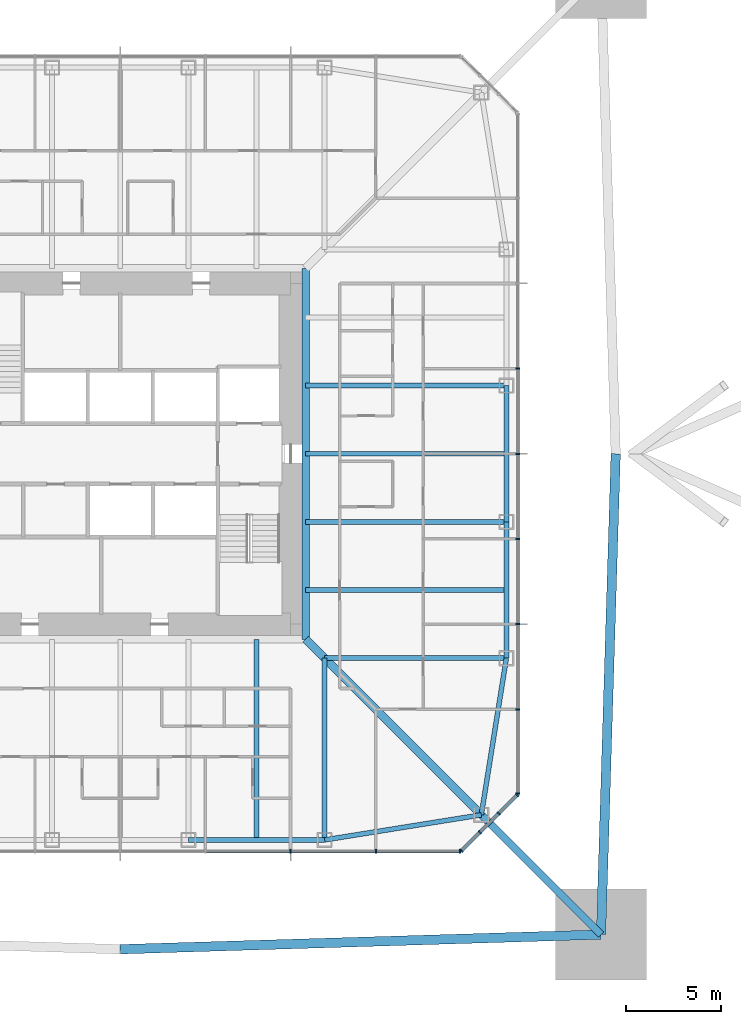
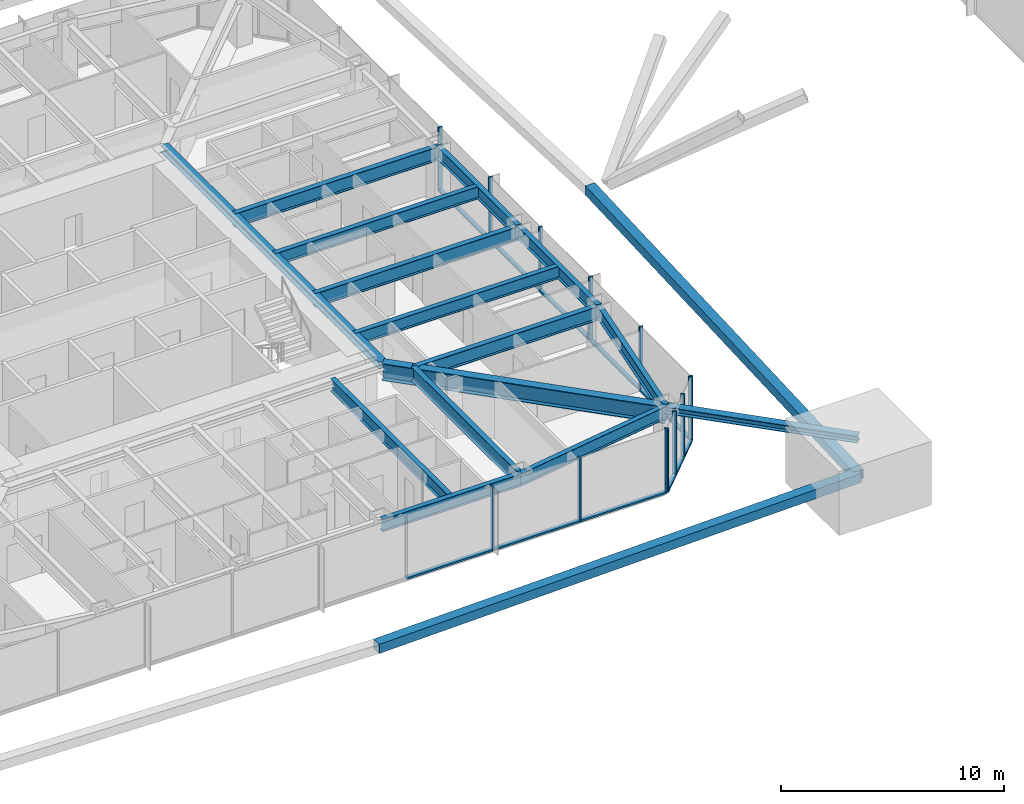
# One storey, part 5 of 27: 27 members, 14 beams, 3 elements without a shape of their own.
"""IFC4 building model written with IfcOpenShell, lengths in metres."""

from ifc_helpers import new_model, si_unit, direction, frame, origin, origin_2d, place, context, subcontext, project, spatial, rectangle, hollow_rectangle, i_section, extrude, material, material_profile, profile_set, type_object, element, aggregate, save


model = new_model("IFC4")

# Units and contexts
model_context = context("Model", 3, precision=1e-05, world=origin(), true_north=direction((0.0, 1.0)))
body_context = subcontext(model_context, "Body", "Model", "MODEL_VIEW")
ifc_project = project(units=[si_unit("LENGTHUNIT", "METRE"), si_unit("AREAUNIT", "SQUARE_METRE"), si_unit("VOLUMEUNIT", "CUBIC_METRE"), si_unit("PLANEANGLEUNIT", "RADIAN"), si_unit("MASSUNIT", "GRAM", prefix="KILO")], contexts=[model_context])

# Site, building, storey
site_placement = place(None, origin())
site = spatial("IfcSite", under=ifc_project, at=site_placement, CompositionType="ELEMENT")
building_placement = place(site_placement, origin())
building = spatial("IfcBuilding", under=site, at=building_placement, Name="Iwan Alto Co-Living Towers", CompositionType="ELEMENT")
storey_placement = place(building_placement, frame((0.0, 0.0, 91.0)))
storey = spatial("IfcBuildingStorey", under=building, at=storey_placement, Name="L24", CompositionType="ELEMENT", Elevation=91.0)

# Curtain wall, members
ifc_material_1 = material(Name="Bronze aluminium unitised frame", Category="aluminium")
curtain_wall_type_1 = type_object("IfcCurtainWallType", Name="CURTAIN WALL CW-A", PredefinedType="NOTDEFINED", material=ifc_material_1)
curtain_wall_1_placement = place(storey_placement, origin())
curtain_wall_1 = element("IfcCurtainWall", 1, at=curtain_wall_1_placement, inside=storey, type_object=curtain_wall_type_1, Name="T1 curtain wall S L24", PredefinedType="NOTDEFINED")
ifc_material_2 = material(Name="Aluminium 6063-T6 bronze anodised", Category="aluminium")
ifc_material_profile_1 = material_profile(ifc_material_2, rectangle(XDim=0.199951171875, YDim=0.080078125, at=origin_2d()), Name="AL 80X200")
ifc_profile_set_1 = profile_set([ifc_material_profile_1], Name="Aluminium 6063-T6 bronze anodised")
member_type_1 = type_object("IfcMemberType", Name="CW-A MULLION 80X200", PredefinedType="MULLION", material=ifc_profile_set_1)
member_1_placement = place(storey_placement, frame((9.0, -21.0, 0.0), z_axis=(0.0, 0.0, 1.0), x_axis=(0.0, 1.0, 0.0)))
member_1 = element("IfcMember", 2, at=member_1_placement, type_object=member_type_1, Name="CW-A mullion 7", PredefinedType="MULLION", context=body_context, shape_type="SweptSolid", body=[
    extrude(rectangle(XDim=0.199951171875, YDim=0.080078125, at=origin_2d()), origin(), (0.0, 0.0, 1.0), 3.5),
])
member_2_placement = place(storey_placement, frame((13.5, -21.0, 0.0), z_axis=(0.0, 0.0, 1.0), x_axis=(0.0, 1.0, 0.0)))
member_2 = element("IfcMember", 3, at=member_2_placement, type_object=member_type_1, Name="CW-A mullion 8", PredefinedType="MULLION", context=body_context, shape_type="SweptSolid", body=[
    extrude(rectangle(XDim=0.199951171875, YDim=0.080078125, at=origin_2d()), origin(), (0.0, 0.0, 1.0), 3.5),
])
member_3_placement = place(storey_placement, frame((17.9599609375, -21.0, 0.0), z_axis=(0.0, 0.0, 1.0), x_axis=(0.0, 1.0, 0.0)))
member_3 = element("IfcMember", 4, at=member_3_placement, type_object=member_type_1, Name="CW-A mullion 9", PredefinedType="MULLION", context=body_context, shape_type="SweptSolid", body=[
    extrude(rectangle(XDim=0.199951171875, YDim=0.080078125, at=origin_2d()), origin(), (0.0, 0.0, 1.0), 3.5),
])

curtain_wall_2_placement = place(storey_placement, origin())
curtain_wall_2 = element("IfcCurtainWall", 5, at=curtain_wall_2_placement, inside=storey, type_object=curtain_wall_type_1, Name="T1 curtain wall E L24", PredefinedType="NOTDEFINED")
member_4_placement = place(storey_placement, frame((21.0, -17.9599609375, 0.0), z_axis=(0.0, 0.0, 1.0), x_axis=(-1.0, 0.0, 0.0)))
member_4 = element("IfcMember", 6, at=member_4_placement, type_object=member_type_1, Name="CW-A mullion 1", PredefinedType="MULLION", context=body_context, shape_type="SweptSolid", body=[
    extrude(rectangle(XDim=0.199951171875, YDim=0.080078125, at=origin_2d()), origin(), (0.0, 0.0, 1.0), 3.5),
])
member_5_placement = place(storey_placement, frame((21.0, -13.5, 0.0), z_axis=(0.0, 0.0, 1.0), x_axis=(-1.0, 0.0, 0.0)))
member_5 = element("IfcMember", 7, at=member_5_placement, type_object=member_type_1, Name="CW-A mullion 2", PredefinedType="MULLION", context=body_context, shape_type="SweptSolid", body=[
    extrude(rectangle(XDim=0.199951171875, YDim=0.080078125, at=origin_2d()), origin(), (0.0, 0.0, 1.0), 3.5),
])
member_6_placement = place(storey_placement, frame((21.0, -9.0, 0.0), z_axis=(0.0, 0.0, 1.0), x_axis=(-1.0, 0.0, 0.0)))
member_6 = element("IfcMember", 8, at=member_6_placement, type_object=member_type_1, Name="CW-A mullion 3", PredefinedType="MULLION", context=body_context, shape_type="SweptSolid", body=[
    extrude(rectangle(XDim=0.199951171875, YDim=0.080078125, at=origin_2d()), origin(), (0.0, 0.0, 1.0), 3.5),
])
member_7_placement = place(storey_placement, frame((21.0, -4.5, 0.0), z_axis=(0.0, 0.0, 1.0), x_axis=(-1.0, 0.0, 0.0)))
member_7 = element("IfcMember", 9, at=member_7_placement, type_object=member_type_1, Name="CW-A mullion 4", PredefinedType="MULLION", context=body_context, shape_type="SweptSolid", body=[
    extrude(rectangle(XDim=0.199951171875, YDim=0.080078125, at=origin_2d()), origin(), (0.0, 0.0, 1.0), 3.5),
])
member_8_placement = place(storey_placement, frame((21.0, 0.0, 0.0), z_axis=(0.0, 0.0, 1.0), x_axis=(-1.0, 0.0, 0.0)))
member_8 = element("IfcMember", 10, at=member_8_placement, type_object=member_type_1, Name="CW-A mullion 5", PredefinedType="MULLION", context=body_context, shape_type="SweptSolid", body=[
    extrude(rectangle(XDim=0.199951171875, YDim=0.080078125, at=origin_2d()), origin(), (0.0, 0.0, 1.0), 3.5),
])
member_9_placement = place(storey_placement, frame((21.0, 4.5, 0.0), z_axis=(0.0, 0.0, 1.0), x_axis=(-1.0, 0.0, 0.0)))
member_9 = element("IfcMember", 11, at=member_9_placement, type_object=member_type_1, Name="CW-A mullion 6", PredefinedType="MULLION", context=body_context, shape_type="SweptSolid", body=[
    extrude(rectangle(XDim=0.199951171875, YDim=0.080078125, at=origin_2d()), origin(), (0.0, 0.0, 1.0), 3.5),
])

# Member
ifc_material_3 = material(Name="Aluminium 6063-T6 bronze anodised", Category="aluminium")
ifc_material_profile_2 = material_profile(ifc_material_3, rectangle(XDim=0.199951171875, YDim=0.10009765625, at=origin_2d()), Name="AL 200X100")
ifc_profile_set_2 = profile_set([ifc_material_profile_2], Name="Aluminium 6063-T6 bronze anodised")
member_type_2 = type_object("IfcMemberType", Name="CW-A TRANSOM 200X100", PredefinedType="USERDEFINED", material=ifc_profile_set_2)
member_10_placement = place(storey_placement, frame((4.5400390625, -21.0, 0.050048828125), z_axis=(1.0, 0.0, 0.0), x_axis=(0.0, 1.0, 0.0)))
member_10 = element("IfcMember", 12, at=member_10_placement, type_object=member_type_2, Name="CW-A transom 6.1", ObjectType="TRANSOM", PredefinedType="USERDEFINED", context=body_context, shape_type="SweptSolid", body=[
    extrude(rectangle(XDim=0.199951171875, YDim=0.10009765625, at=origin_2d()), origin(), (0.0, 0.0, 1.0), 4.419921875),
])

member_11_placement = place(storey_placement, frame((9.0400390625, -21.0, 0.050048828125), z_axis=(1.0, 0.0, 0.0), x_axis=(0.0, 1.0, 0.0)))
member_11 = element("IfcMember", 13, at=member_11_placement, type_object=member_type_2, Name="CW-A transom 7.1", ObjectType="TRANSOM", PredefinedType="USERDEFINED", context=body_context, shape_type="SweptSolid", body=[
    extrude(rectangle(XDim=0.199951171875, YDim=0.10009765625, at=origin_2d()), origin(), (0.0, 0.0, 1.0), 4.419921875),
])

member_12_placement = place(storey_placement, frame((13.5400390625, -21.0, 0.050048828125), z_axis=(1.0, 0.0, 0.0), x_axis=(0.0, 1.0, 0.0)))
member_12 = element("IfcMember", 14, at=member_12_placement, type_object=member_type_2, Name="CW-A transom 8.1", ObjectType="TRANSOM", PredefinedType="USERDEFINED", context=body_context, shape_type="SweptSolid", body=[
    extrude(rectangle(XDim=0.199951171875, YDim=0.10009765625, at=origin_2d()), origin(), (0.0, 0.0, 1.0), 4.3798828125),
])

aggregate(curtain_wall_1, [member_1, member_2, member_3, member_10, member_11, member_12])

member_13_placement = place(storey_placement, frame((21.0, -17.919921875, 0.050048828125), z_axis=(0.0, 1.0, 0.0), x_axis=(-1.0, 0.0, 0.0)))
member_13 = element("IfcMember", 15, at=member_13_placement, type_object=member_type_2, Name="CW-A transom 1.1", ObjectType="TRANSOM", PredefinedType="USERDEFINED", context=body_context, shape_type="SweptSolid", body=[
    extrude(rectangle(XDim=0.199951171875, YDim=0.10009765625, at=origin_2d()), origin(), (0.0, 0.0, 1.0), 4.3798828125),
])

member_14_placement = place(storey_placement, frame((21.0, -13.4599609375, 0.050048828125), z_axis=(0.0, 1.0, 0.0), x_axis=(-1.0, 0.0, 0.0)))
member_14 = element("IfcMember", 16, at=member_14_placement, type_object=member_type_2, Name="CW-A transom 2.1", ObjectType="TRANSOM", PredefinedType="USERDEFINED", context=body_context, shape_type="SweptSolid", body=[
    extrude(rectangle(XDim=0.199951171875, YDim=0.10009765625, at=origin_2d()), origin(), (0.0, 0.0, 1.0), 4.419921875),
])

member_15_placement = place(storey_placement, frame((21.0, -8.9599609375, 0.050048828125), z_axis=(0.0, 1.0, 0.0), x_axis=(-1.0, 0.0, 0.0)))
member_15 = element("IfcMember", 17, at=member_15_placement, type_object=member_type_2, Name="CW-A transom 3.1", ObjectType="TRANSOM", PredefinedType="USERDEFINED", context=body_context, shape_type="SweptSolid", body=[
    extrude(rectangle(XDim=0.199951171875, YDim=0.10009765625, at=origin_2d()), origin(), (0.0, 0.0, 1.0), 4.419921875),
])

member_16_placement = place(storey_placement, frame((21.0, -4.4599609375, 0.050048828125), z_axis=(0.0, 1.0, 0.0), x_axis=(-1.0, 0.0, 0.0)))
member_16 = element("IfcMember", 18, at=member_16_placement, type_object=member_type_2, Name="CW-A transom 4.1", ObjectType="TRANSOM", PredefinedType="USERDEFINED", context=body_context, shape_type="SweptSolid", body=[
    extrude(rectangle(XDim=0.199951171875, YDim=0.10009765625, at=origin_2d()), origin(), (0.0, 0.0, 1.0), 4.419921875),
])

member_17_placement = place(storey_placement, frame((21.0, 0.0400390625, 0.050048828125), z_axis=(0.0, 1.0, 0.0), x_axis=(-1.0, 0.0, 0.0)))
member_17 = element("IfcMember", 19, at=member_17_placement, type_object=member_type_2, Name="CW-A transom 5.1", ObjectType="TRANSOM", PredefinedType="USERDEFINED", context=body_context, shape_type="SweptSolid", body=[
    extrude(rectangle(XDim=0.199951171875, YDim=0.10009765625, at=origin_2d()), origin(), (0.0, 0.0, 1.0), 4.419921875),
])

aggregate(curtain_wall_2, [member_4, member_5, member_6, member_7, member_8, member_9, member_13, member_14, member_15, member_16, member_17])

# Curtain wall, members
ifc_material_4 = material(Name="Bronze aluminium unitised frame", Category="aluminium")
curtain_wall_type_2 = type_object("IfcCurtainWallType", Name="CURTAIN WALL CW-B", PredefinedType="NOTDEFINED", material=ifc_material_4)
curtain_wall_3_placement = place(storey_placement, origin())
curtain_wall_3 = element("IfcCurtainWall", 20, at=curtain_wall_3_placement, inside=storey, type_object=curtain_wall_type_2, Name="T1 chamfer curtain wall SE L24", PredefinedType="NOTDEFINED")
ifc_material_5 = material(Name="Aluminium 6063-T6 bronze anodised", Category="aluminium")
ifc_material_profile_3 = material_profile(ifc_material_5, rectangle(XDim=0.199951171875, YDim=0.080078125, at=origin_2d()), Name="AL 80X200")
ifc_profile_set_3 = profile_set([ifc_material_profile_3], Name="Aluminium 6063-T6 bronze anodised")
member_type_3 = type_object("IfcMemberType", Name="CW-B MULLION 80X200", PredefinedType="MULLION", material=ifc_profile_set_3)
member_18_placement = place(storey_placement, frame((18.0283203125, -20.9716796875, 0.0), z_axis=(0.0, 0.0, 1.0), x_axis=(-0.707106781187, 0.707106781187, 0.0)))
member_18 = element("IfcMember", 21, at=member_18_placement, type_object=member_type_3, Name="CW-B mullion 1", PredefinedType="MULLION", context=body_context, shape_type="SweptSolid", body=[
    extrude(rectangle(XDim=0.199951171875, YDim=0.080078125, at=origin_2d()), origin(), (0.0, 0.0, 1.0), 3.5),
])
member_19_placement = place(storey_placement, frame((19.0, -20.0, 0.0), z_axis=(0.0, 0.0, 1.0), x_axis=(-0.707106781187, 0.707106781187, 0.0)))
member_19 = element("IfcMember", 22, at=member_19_placement, type_object=member_type_3, Name="CW-B mullion 2", PredefinedType="MULLION", context=body_context, shape_type="SweptSolid", body=[
    extrude(rectangle(XDim=0.199951171875, YDim=0.080078125, at=origin_2d()), origin(), (0.0, 0.0, 1.0), 3.5),
])
member_20_placement = place(storey_placement, frame((20.0, -19.0, 0.0), z_axis=(0.0, 0.0, 1.0), x_axis=(-0.707106781187, 0.707106781187, 0.0)))
member_20 = element("IfcMember", 23, at=member_20_placement, type_object=member_type_3, Name="CW-B mullion 3", PredefinedType="MULLION", context=body_context, shape_type="SweptSolid", body=[
    extrude(rectangle(XDim=0.199951171875, YDim=0.080078125, at=origin_2d()), origin(), (0.0, 0.0, 1.0), 3.5),
])
member_21_placement = place(storey_placement, frame((20.9716796875, -18.0283203125, 0.0), z_axis=(0.0, 0.0, 1.0), x_axis=(-0.707106781187, 0.707106781187, 0.0)))
member_21 = element("IfcMember", 24, at=member_21_placement, type_object=member_type_3, Name="CW-B mullion 4", PredefinedType="MULLION", context=body_context, shape_type="SweptSolid", body=[
    extrude(rectangle(XDim=0.199951171875, YDim=0.080078125, at=origin_2d()), origin(), (0.0, 0.0, 1.0), 3.5),
])
ifc_material_6 = material(Name="Aluminium 6063-T6 bronze anodised", Category="aluminium")
ifc_material_profile_4 = material_profile(ifc_material_6, rectangle(XDim=0.199951171875, YDim=0.10009765625, at=origin_2d()), Name="AL 200X100")
ifc_profile_set_4 = profile_set([ifc_material_profile_4], Name="Aluminium 6063-T6 bronze anodised")
member_type_4 = type_object("IfcMemberType", Name="CW-B TRANSOM 200X100", PredefinedType="USERDEFINED", material=ifc_profile_set_4)
member_22_placement = place(storey_placement, frame((18.056640625, -20.943359375, 0.050048828125), z_axis=(0.707106781187, 0.707106781187, 0.0), x_axis=(-0.707106781187, 0.707106781187, 0.0)))
member_22 = element("IfcMember", 25, at=member_22_placement, type_object=member_type_4, Name="CW-B transom 1.1", ObjectType="TRANSOM", PredefinedType="USERDEFINED", context=body_context, shape_type="SweptSolid", body=[
    extrude(rectangle(XDim=0.199951171875, YDim=0.10009765625, at=origin_2d()), origin(), (0.0, 0.0, 1.0), 1.2939453125),
])
member_23_placement = place(storey_placement, frame((19.0283203125, -19.9716796875, 0.050048828125), z_axis=(0.707106781187, 0.707106781187, 0.0), x_axis=(-0.707106781187, 0.707106781187, 0.0)))
member_23 = element("IfcMember", 26, at=member_23_placement, type_object=member_type_4, Name="CW-B transom 2.1", ObjectType="TRANSOM", PredefinedType="USERDEFINED", context=body_context, shape_type="SweptSolid", body=[
    extrude(rectangle(XDim=0.199951171875, YDim=0.10009765625, at=origin_2d()), origin(), (0.0, 0.0, 1.0), 1.334228515625),
])
member_24_placement = place(storey_placement, frame((20.0283203125, -18.9716796875, 0.050048828125), z_axis=(0.707106781187, 0.707106781187, 0.0), x_axis=(-0.707106781187, 0.707106781187, 0.0)))
member_24 = element("IfcMember", 27, at=member_24_placement, type_object=member_type_4, Name="CW-B transom 3.1", ObjectType="TRANSOM", PredefinedType="USERDEFINED", context=body_context, shape_type="SweptSolid", body=[
    extrude(rectangle(XDim=0.199951171875, YDim=0.10009765625, at=origin_2d()), origin(), (0.0, 0.0, 1.0), 1.2939453125),
])
aggregate(curtain_wall_3, [member_18, member_19, member_20, member_21, member_22, member_23, member_24])

# Beams
ifc_material_7 = material(Name="Steel ASTM A992 Gr 50", Category="steel")
ifc_material_profile_5 = material_profile(ifc_material_7, i_section(OverallWidth=0.398681640625, OverallDepth=0.385986328125, WebThickness=0.02099609375, FlangeThickness=0.033203125, at=origin_2d()), Name="W14X176")
ifc_profile_set_5 = profile_set([ifc_material_profile_5], Name="Steel ASTM A992 Gr 50")
beam_type_1 = type_object("IfcBeamType", Name="T1 CORE LEDGER BEAM W14X176", PredefinedType="BEAM", material=ifc_profile_set_5)
beam_1_placement = place(storey_placement, frame((9.79931640625, -9.79931640625, 3.076904296875), z_axis=(0.0, 1.0, 0.0), x_axis=(-1.0, 0.0, 0.0)))
element("IfcBeam", 28, at=beam_1_placement, inside=storey, type_object=beam_type_1, Name="T1 core ledger beam E L25", PredefinedType="BEAM", context=body_context, shape_type="SweptSolid", body=[
    extrude(i_section(OverallWidth=0.398681640625, OverallDepth=0.385986328125, WebThickness=0.02099609375, FlangeThickness=0.033203125, at=origin_2d()), origin(), (0.0, 0.0, 1.0), 19.5986328125),
])
ifc_material_8 = material(Name="Steel ASTM A992 Gr 50", Category="steel")
ifc_material_profile_6 = material_profile(ifc_material_8, i_section(OverallWidth=0.419189453125, OverallDepth=0.927001953125, WebThickness=0.019287109375, FlangeThickness=0.031982421875, at=origin_2d()), Name="W36X231")
ifc_profile_set_6 = profile_set([ifc_material_profile_6], Name="Steel ASTM A992 Gr 50")
beam_type_2 = type_object("IfcBeamType", Name="T1 CORNER GIRDER W36X231", PredefinedType="BEAM", material=ifc_profile_set_6)
beam_2_placement = place(storey_placement, frame((19.07568359375, -19.07568359375, 2.806396484375), z_axis=(-0.707106781187, 0.707106781187, 0.0), x_axis=(-0.707106781187, -0.707106781187, 0.0)))
element("IfcBeam", 29, at=beam_2_placement, inside=storey, type_object=beam_type_2, Name="T1 corner girder CSE L25", PredefinedType="BEAM", context=body_context, shape_type="SweptSolid", body=[
    extrude(i_section(OverallWidth=0.419189453125, OverallDepth=0.927001953125, WebThickness=0.019287109375, FlangeThickness=0.031982421875, at=origin_2d()), origin(), (0.0, 0.0, 1.0), 13.11865234375),
])
ifc_material_9 = material(Name="Steel ASTM A992 Gr 50", Category="steel")
ifc_material_profile_7 = material_profile(ifc_material_9, i_section(OverallWidth=0.25390625, OverallDepth=0.683349609375, WebThickness=0.012451171875, FlangeThickness=0.018798828125, at=origin_2d()), Name="W27X94")
ifc_profile_set_7 = profile_set([ifc_material_profile_7], Name="Steel ASTM A992 Gr 50")
beam_type_3 = type_object("IfcBeamType", Name="T1 EDGE BEAM W27X94", PredefinedType="BEAM", material=ifc_profile_set_7)
beam_3_placement = place(storey_placement, frame((3.60009765625, -20.39990234375, 2.928466796875), z_axis=(1.0, 0.0, 0.0), x_axis=(0.0, 1.0, 0.0)))
element("IfcBeam", 30, at=beam_3_placement, inside=storey, type_object=beam_type_3, Name="T1 edge beam S3 L25", PredefinedType="BEAM", context=body_context, shape_type="SweptSolid", body=[
    extrude(i_section(OverallWidth=0.25390625, OverallDepth=0.683349609375, WebThickness=0.012451171875, FlangeThickness=0.018798828125, at=origin_2d()), origin(), (0.0, 0.0, 1.0), 7.199951171875),
])
for number, where, z_axis, x_axis, name in (
    (31, (10.800048828125, -20.39990234375, 2.928466796875), (0.987438450439, 0.158004134737, 0.0), (-0.158004134737, 0.987438450439, 0.0), "T1 edge beam S4 L25"),
    (32, (19.07568359375, -19.07568359375, 2.928466796875), (0.158004134737, 0.987438450439, 0.0), (-0.987438450439, 0.158004134737, 0.0), "T1 edge beam CSE L25"),
):
    element("IfcBeam", number, at=place(storey_placement, frame(where, z_axis=z_axis, x_axis=x_axis)), inside=storey, type_object=beam_type_3, Name=name, PredefinedType="BEAM", context=body_context, shape_type="SweptSolid", body=[
        extrude(i_section(OverallWidth=0.25390625, OverallDepth=0.683349609375, WebThickness=0.012451171875, FlangeThickness=0.018798828125, at=origin_2d()), origin(), (0.0, 0.0, 1.0), 8.380859375),
    ])
beam_4_placement = place(storey_placement, frame((20.39990234375, -10.800048828125, 2.928466796875), z_axis=(0.0, 1.0, 0.0), x_axis=(-1.0, 0.0, 0.0)))
element("IfcBeam", 33, at=beam_4_placement, inside=storey, type_object=beam_type_3, Name="T1 edge beam E1 L25", PredefinedType="BEAM", context=body_context, shape_type="SweptSolid", body=[
    extrude(i_section(OverallWidth=0.25390625, OverallDepth=0.683349609375, WebThickness=0.012451171875, FlangeThickness=0.018798828125, at=origin_2d()), origin(), (0.0, 0.0, 1.0), 7.199951171875),
])
beam_5_placement = place(storey_placement, frame((20.39990234375, -3.60009765625, 2.928466796875), z_axis=(0.0, 1.0, 0.0), x_axis=(-1.0, 0.0, 0.0)))
element("IfcBeam", 34, at=beam_5_placement, inside=storey, type_object=beam_type_3, Name="T1 edge beam E2 L25", PredefinedType="BEAM", context=body_context, shape_type="SweptSolid", body=[
    extrude(i_section(OverallWidth=0.25390625, OverallDepth=0.683349609375, WebThickness=0.012451171875, FlangeThickness=0.018798828125, at=origin_2d()), origin(), (0.0, 0.0, 1.0), 7.2001953125),
])

# Members
ifc_material_10 = material(Name="Steel ASTM A992 Gr 50", Category="steel")
ifc_material_profile_8 = material_profile(ifc_material_10, i_section(OverallWidth=0.393798828125, OverallDepth=0.3759765625, WebThickness=0.017333984375, FlangeThickness=0.027587890625, at=origin_2d()), Name="W14X145")
ifc_profile_set_8 = profile_set([ifc_material_profile_8], Name="Steel ASTM A992 Gr 50")
member_type_5 = type_object("IfcMemberType", Name="T1 MEGA COLUMN FLOOR TIE W14X145", PredefinedType="STRUT", material=ifc_profile_set_8)
member_25_placement = place(storey_placement, frame((25.39990234375, -25.39990234375, 3.08203125), z_axis=(-0.707106781187, 0.707106781187, 0.0), x_axis=(-0.707106781187, -0.707106781187, 0.0)))
element("IfcMember", 35, at=member_25_placement, inside=storey, type_object=member_type_5, Name="T1 mega column floor tie SE L25", PredefinedType="STRUT", context=body_context, shape_type="SweptSolid", body=[
    extrude(i_section(OverallWidth=0.393798828125, OverallDepth=0.3759765625, WebThickness=0.017333984375, FlangeThickness=0.027587890625, at=origin_2d()), origin(), (0.0, 0.0, 1.0), 8.94384765625),
])
ifc_material_11 = material(Name="Steel ASTM A572 Gr 50", Category="steel")
ifc_material_profile_9 = material_profile(ifc_material_11, hollow_rectangle(XDim=0.5, YDim=0.5, WallThickness=0.031982421875, at=origin_2d()), Name="BOX 500X500X32")
ifc_profile_set_9 = profile_set([ifc_material_profile_9], Name="Steel ASTM A572 Gr 50")
member_type_6 = type_object("IfcMemberType", Name="T1 MEGA TIE BOX 500X500X32", PredefinedType="STRUT", material=ifc_profile_set_9)
for number, where, z_axis, x_axis, name in (
    (36, (0.0, -26.175537109375, 1.01904296875), (0.999534074116, 0.030522691262, 0.0), (-0.030522691262, 0.999534074116, 0.0), "T1 mega tie Z2A S 2"),
    (37, (25.39990234375, -25.39990234375, 1.01904296875), (0.030522691262, 0.999534074116, 0.0), (-0.999534074116, 0.030522691262, 0.0), "T1 mega tie Z2A E 1"),
):
    element("IfcMember", number, at=place(storey_placement, frame(where, z_axis=z_axis, x_axis=x_axis)), inside=storey, type_object=member_type_6, Name=name, PredefinedType="STRUT", context=body_context, shape_type="SweptSolid", body=[
        extrude(hollow_rectangle(XDim=0.5, YDim=0.5, WallThickness=0.031982421875, at=origin_2d()), origin(), (0.0, 0.0, 1.0), 25.41162109375),
    ])

# Beams
ifc_material_12 = material(Name="Steel ASTM A992 Gr 50", Category="steel")
ifc_material_profile_10 = material_profile(ifc_material_12, i_section(OverallWidth=0.2666015625, OverallDepth=0.761962890625, WebThickness=0.014404296875, FlangeThickness=0.021484375, at=origin_2d()), Name="W30X116")
ifc_profile_set_10 = profile_set([ifc_material_profile_10], Name="Steel ASTM A992 Gr 50")
beam_type_4 = type_object("IfcBeamType", Name="T1 RADIAL BEAM W30X116", PredefinedType="BEAM", material=ifc_profile_set_10)
for number, where, z_axis, x_axis, name in (
    (38, (10.800048828125, -20.39990234375, 2.888916015625), (0.0, 1.0, 0.0), (-1.0, 0.0, 0.0), "T1 radial beam S4 L25"),
    (39, (20.39990234375, -10.800048828125, 2.888916015625), (-1.0, 0.0, 0.0), (0.0, -1.0, 0.0), "T1 radial beam E1 L25"),
):
    element("IfcBeam", number, at=place(storey_placement, frame(where, z_axis=z_axis, x_axis=x_axis)), inside=storey, type_object=beam_type_4, Name=name, PredefinedType="BEAM", context=body_context, shape_type="SweptSolid", body=[
        extrude(i_section(OverallWidth=0.2666015625, OverallDepth=0.761962890625, WebThickness=0.014404296875, FlangeThickness=0.021484375, at=origin_2d()), origin(), (0.0, 0.0, 1.0), 9.599853515625),
    ])
for number, where, z_axis, x_axis, name in (
    (40, (20.39990234375, -3.60009765625, 2.888916015625), (-1.0, 0.0, 0.0), (0.0, -1.0, 0.0), "T1 radial beam E2 L25"),
    (41, (20.39990234375, 3.60009765625, 2.888916015625), (-1.0, 0.0, 0.0), (0.0, -1.0, 0.0), "T1 radial beam E3 L25"),
):
    element("IfcBeam", number, at=place(storey_placement, frame(where, z_axis=z_axis, x_axis=x_axis)), inside=storey, type_object=beam_type_4, Name=name, PredefinedType="BEAM", context=body_context, shape_type="SweptSolid", body=[
        extrude(i_section(OverallWidth=0.2666015625, OverallDepth=0.761962890625, WebThickness=0.014404296875, FlangeThickness=0.021484375, at=origin_2d()), origin(), (0.0, 0.0, 1.0), 10.6005859375),
    ])
ifc_material_13 = material(Name="Steel ASTM A992 Gr 50", Category="steel")
ifc_material_profile_11 = material_profile(ifc_material_13, i_section(OverallWidth=0.25390625, OverallDepth=0.683349609375, WebThickness=0.012451171875, FlangeThickness=0.018798828125, at=origin_2d()), Name="W27X94")
ifc_profile_set_11 = profile_set([ifc_material_profile_11], Name="Steel ASTM A992 Gr 50")
beam_type_5 = type_object("IfcBeamType", Name="T1 SECONDARY BEAM W27X94", PredefinedType="JOIST", material=ifc_profile_set_11)
for number, where, z_axis, x_axis, name in (
    (42, (7.199951171875, -20.39990234375, 2.928466796875), (0.0, 1.0, 0.0), (-1.0, 0.0, 0.0), "T1 secondary beam S3 L25"),
    (43, (20.39990234375, -7.199951171875, 2.928466796875), (-1.0, 0.0, 0.0), (0.0, -1.0, 0.0), "T1 secondary beam E1 L25"),
    (44, (20.39990234375, 0.0, 2.928466796875), (-1.0, 0.0, 0.0), (0.0, -1.0, 0.0), "T1 secondary beam E2 L25"),
):
    element("IfcBeam", number, at=place(storey_placement, frame(where, z_axis=z_axis, x_axis=x_axis)), inside=storey, type_object=beam_type_5, Name=name, PredefinedType="JOIST", context=body_context, shape_type="SweptSolid", body=[
        extrude(i_section(OverallWidth=0.25390625, OverallDepth=0.683349609375, WebThickness=0.012451171875, FlangeThickness=0.018798828125, at=origin_2d()), origin(), (0.0, 0.0, 1.0), 10.6005859375),
    ])

save(model, "model.ifc")
